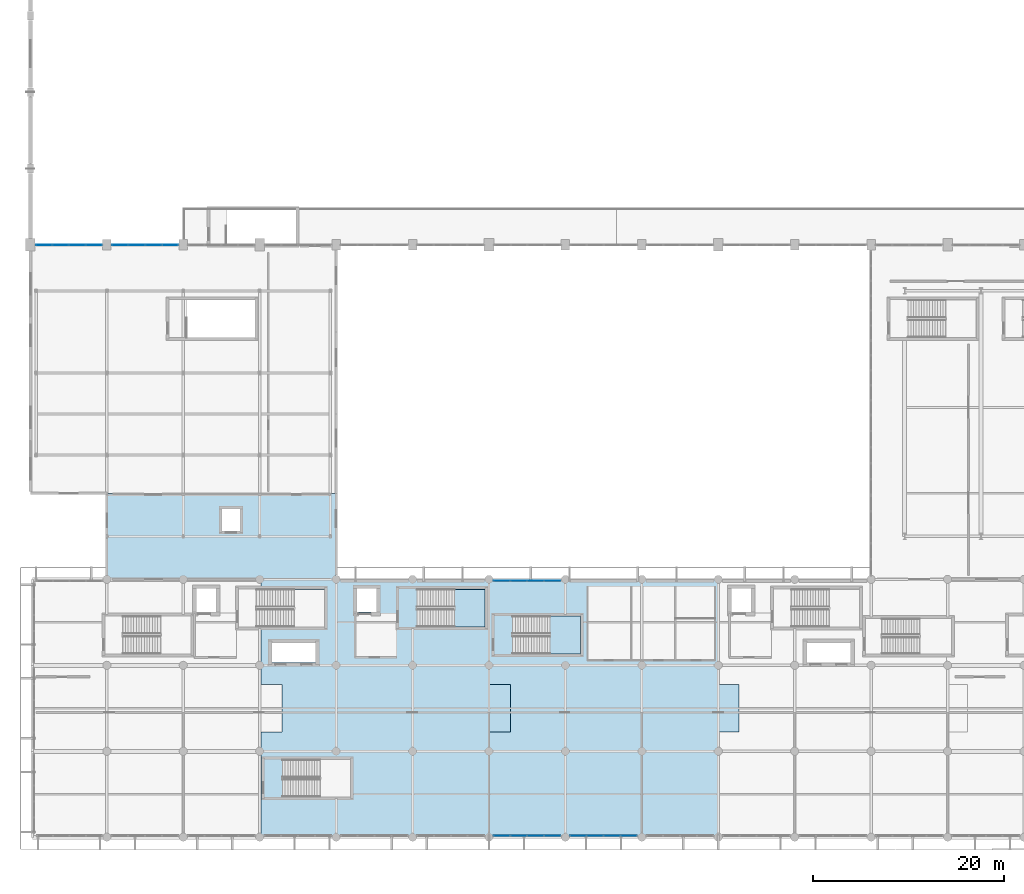
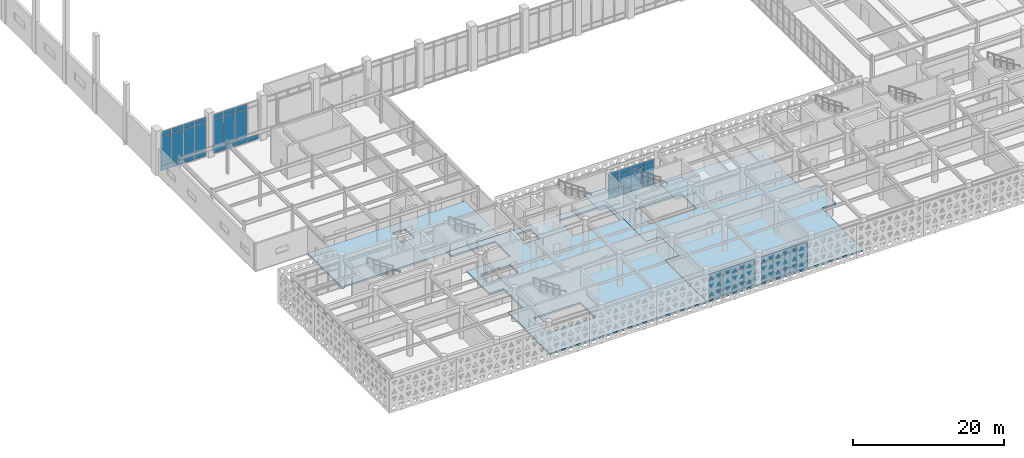
# One storey, part 47 of 84: 58 plates, 5 slabs, 7 elements without a shape of their own.
"""IFC4 building model written with IfcOpenShell, lengths in metres."""

from ifc_helpers import new_model, si_unit, direction, frame, origin, origin_2d, place, context, subcontext, project, spatial, polyline, rectangle, outline, extrude, material, layer, layer_set, type_object, element, aggregate, save


model = new_model("IFC4")

# Units and contexts
model_context = context("Model", 3, precision=1e-05, world=origin(), true_north=direction((0.0, 1.0)))
body_context = subcontext(model_context, "Body", "Model", "MODEL_VIEW")
ifc_project = project(units=[si_unit("LENGTHUNIT", "METRE"), si_unit("AREAUNIT", "SQUARE_METRE"), si_unit("VOLUMEUNIT", "CUBIC_METRE"), si_unit("PLANEANGLEUNIT", "RADIAN"), si_unit("MASSUNIT", "GRAM", prefix="KILO")], contexts=[model_context])

# Site, building, storey
site_placement = place(None, origin())
site = spatial("IfcSite", under=ifc_project, at=site_placement, CompositionType="ELEMENT")
building_placement = place(site_placement, origin())
building = spatial("IfcBuilding", under=site, at=building_placement, Name="Tlacozan Convention Centre", CompositionType="ELEMENT")
storey_placement = place(building_placement, frame((0.0, 0.0, 6.0)))
storey = spatial("IfcBuildingStorey", under=building, at=storey_placement, Name="L01", CompositionType="ELEMENT", Elevation=6.0)

# Curtain wall, plates
ifc_material_1 = material(Name="Dark Bronze Anodised Aluminium", Category="aluminium")
ifc_layer_1 = layer(ifc_material_1, 0.199951171875)
ifc_layer_set_1 = layer_set([ifc_layer_1], Name="Dark Bronze Anodised Aluminium")
curtain_wall_type_1 = type_object("IfcCurtainWallType", Name="Exhibition Clerestory Curtain Wall CW10", PredefinedType="NOTDEFINED", material=ifc_layer_set_1)
curtain_wall_1_placement = place(storey_placement, origin())
curtain_wall_1 = element("IfcCurtainWall", 1, at=curtain_wall_1_placement, inside=storey, type_object=curtain_wall_type_1, Name="L01 CW-10 Run 9", PredefinedType="NOTDEFINED")
ifc_material_2 = material(Name="Solar Control Double Low-E Argon Glazing", Category="glass")
ifc_layer_2 = layer(ifc_material_2, 0.050048828125)
ifc_layer_set_2 = layer_set([ifc_layer_2], Name="Solar Control Double Low-E Argon Glazing")
plate_type_1 = type_object("IfcPlateType", Name="Clerestory Solar CW Panel 50", PredefinedType="CURTAIN_PANEL", material=ifc_layer_set_2)
plate_1_placement = place(storey_placement, frame((1.4111328125, 62.0, 0.074951171875), z_axis=(0.0, 0.0, 1.0), x_axis=(1.0, 0.0, 0.0)))
plate_1 = element("IfcPlate", 2, at=plate_1_placement, type_object=plate_type_1, Name="CW-10 panel 1.1", PredefinedType="CURTAIN_PANEL", context=body_context, shape_type="SweptSolid", body=[
    extrude(rectangle(XDim=1.642578125, YDim=0.050048828125, at=origin_2d()), origin(), (0.0, 0.0, 1.0), 0.78759765625),
])
plate_2_placement = place(storey_placement, frame((1.4111328125, 62.0, 0.9375), z_axis=(0.0, 0.0, 1.0), x_axis=(1.0, 0.0, 0.0)))
plate_2 = element("IfcPlate", 3, at=plate_2_placement, type_object=plate_type_1, Name="CW-10 panel 1.2", PredefinedType="CURTAIN_PANEL", context=body_context, shape_type="SweptSolid", body=[
    extrude(rectangle(XDim=1.642578125, YDim=0.050048828125, at=origin_2d()), origin(), (0.0, 0.0, 1.0), 4.574951171875),
])
plate_3_placement = place(storey_placement, frame((1.4111328125, 62.0, 5.58740234375), z_axis=(0.0, 0.0, 1.0), x_axis=(1.0, 0.0, 0.0)))
plate_3 = element("IfcPlate", 4, at=plate_3_placement, type_object=plate_type_1, Name="CW-10 panel 1.3", PredefinedType="CURTAIN_PANEL", context=body_context, shape_type="SweptSolid", body=[
    extrude(rectangle(XDim=1.642578125, YDim=0.050048828125, at=origin_2d()), origin(), (0.0, 0.0, 1.0), 0.737548828125),
])
plate_4_placement = place(storey_placement, frame((3.1474609375, 62.0, 0.074951171875), z_axis=(0.0, 0.0, 1.0), x_axis=(1.0, 0.0, 0.0)))
plate_4 = element("IfcPlate", 5, at=plate_4_placement, type_object=plate_type_1, Name="CW-10 panel 2.1", PredefinedType="CURTAIN_PANEL", context=body_context, shape_type="SweptSolid", body=[
    extrude(rectangle(XDim=1.679931640625, YDim=0.050048828125, at=origin_2d()), origin(), (0.0, 0.0, 1.0), 0.78759765625),
])
plate_5_placement = place(storey_placement, frame((3.1474609375, 62.0, 0.9375), z_axis=(0.0, 0.0, 1.0), x_axis=(1.0, 0.0, 0.0)))
plate_5 = element("IfcPlate", 6, at=plate_5_placement, type_object=plate_type_1, Name="CW-10 panel 2.2", PredefinedType="CURTAIN_PANEL", context=body_context, shape_type="SweptSolid", body=[
    extrude(rectangle(XDim=1.679931640625, YDim=0.050048828125, at=origin_2d()), origin(), (0.0, 0.0, 1.0), 4.574951171875),
])
plate_6_placement = place(storey_placement, frame((3.1474609375, 62.0, 5.58740234375), z_axis=(0.0, 0.0, 1.0), x_axis=(1.0, 0.0, 0.0)))
plate_6 = element("IfcPlate", 7, at=plate_6_placement, type_object=plate_type_1, Name="CW-10 panel 2.3", PredefinedType="CURTAIN_PANEL", context=body_context, shape_type="SweptSolid", body=[
    extrude(rectangle(XDim=1.679931640625, YDim=0.050048828125, at=origin_2d()), origin(), (0.0, 0.0, 1.0), 0.737548828125),
])
plate_7_placement = place(storey_placement, frame((4.902587890625, 62.0, 0.074951171875), z_axis=(0.0, 0.0, 1.0), x_axis=(1.0, 0.0, 0.0)))
plate_7 = element("IfcPlate", 8, at=plate_7_placement, type_object=plate_type_1, Name="CW-10 panel 3.1", PredefinedType="CURTAIN_PANEL", context=body_context, shape_type="SweptSolid", body=[
    extrude(rectangle(XDim=1.679931640625, YDim=0.050048828125, at=origin_2d()), origin(), (0.0, 0.0, 1.0), 0.78759765625),
])
plate_8_placement = place(storey_placement, frame((4.902587890625, 62.0, 0.9375), z_axis=(0.0, 0.0, 1.0), x_axis=(1.0, 0.0, 0.0)))
plate_8 = element("IfcPlate", 9, at=plate_8_placement, type_object=plate_type_1, Name="CW-10 panel 3.2", PredefinedType="CURTAIN_PANEL", context=body_context, shape_type="SweptSolid", body=[
    extrude(rectangle(XDim=1.679931640625, YDim=0.050048828125, at=origin_2d()), origin(), (0.0, 0.0, 1.0), 4.574951171875),
])
plate_9_placement = place(storey_placement, frame((4.902587890625, 62.0, 5.58740234375), z_axis=(0.0, 0.0, 1.0), x_axis=(1.0, 0.0, 0.0)))
plate_9 = element("IfcPlate", 10, at=plate_9_placement, type_object=plate_type_1, Name="CW-10 panel 3.3", PredefinedType="CURTAIN_PANEL", context=body_context, shape_type="SweptSolid", body=[
    extrude(rectangle(XDim=1.679931640625, YDim=0.050048828125, at=origin_2d()), origin(), (0.0, 0.0, 1.0), 0.737548828125),
])
plate_10_placement = place(storey_placement, frame((6.638671875, 62.0, 0.074951171875), z_axis=(0.0, 0.0, 1.0), x_axis=(1.0, 0.0, 0.0)))
plate_10 = element("IfcPlate", 11, at=plate_10_placement, type_object=plate_type_1, Name="CW-10 panel 4.1", PredefinedType="CURTAIN_PANEL", context=body_context, shape_type="SweptSolid", body=[
    extrude(rectangle(XDim=1.642578125, YDim=0.050048828125, at=origin_2d()), origin(), (0.0, 0.0, 1.0), 0.78759765625),
])
plate_11_placement = place(storey_placement, frame((6.638671875, 62.0, 0.9375), z_axis=(0.0, 0.0, 1.0), x_axis=(1.0, 0.0, 0.0)))
plate_11 = element("IfcPlate", 12, at=plate_11_placement, type_object=plate_type_1, Name="CW-10 panel 4.2", PredefinedType="CURTAIN_PANEL", context=body_context, shape_type="SweptSolid", body=[
    extrude(rectangle(XDim=1.642578125, YDim=0.050048828125, at=origin_2d()), origin(), (0.0, 0.0, 1.0), 4.574951171875),
])
plate_12_placement = place(storey_placement, frame((6.638671875, 62.0, 5.58740234375), z_axis=(0.0, 0.0, 1.0), x_axis=(1.0, 0.0, 0.0)))
plate_12 = element("IfcPlate", 13, at=plate_12_placement, type_object=plate_type_1, Name="CW-10 panel 4.3", PredefinedType="CURTAIN_PANEL", context=body_context, shape_type="SweptSolid", body=[
    extrude(rectangle(XDim=1.642578125, YDim=0.050048828125, at=origin_2d()), origin(), (0.0, 0.0, 1.0), 0.737548828125),
])
aggregate(curtain_wall_1, [plate_1, plate_2, plate_3, plate_4, plate_5, plate_6, plate_7, plate_8, plate_9, plate_10, plate_11, plate_12])

curtain_wall_2_placement = place(storey_placement, origin())
curtain_wall_2 = element("IfcCurtainWall", 14, at=curtain_wall_2_placement, inside=storey, type_object=curtain_wall_type_1, Name="L01 CW-10 Run 10", PredefinedType="NOTDEFINED")
plate_13_placement = place(storey_placement, frame((9.367431640625, 62.0, 0.074951171875), z_axis=(0.0, 0.0, 1.0), x_axis=(1.0, 0.0, 0.0)))
plate_13 = element("IfcPlate", 15, at=plate_13_placement, type_object=plate_type_1, Name="CW-10 panel 1.1", PredefinedType="CURTAIN_PANEL", context=body_context, shape_type="SweptSolid", body=[
    extrude(rectangle(XDim=1.655029296875, YDim=0.050048828125, at=origin_2d()), origin(), (0.0, 0.0, 1.0), 0.78759765625),
])
plate_14_placement = place(storey_placement, frame((9.367431640625, 62.0, 0.9375), z_axis=(0.0, 0.0, 1.0), x_axis=(1.0, 0.0, 0.0)))
plate_14 = element("IfcPlate", 16, at=plate_14_placement, type_object=plate_type_1, Name="CW-10 panel 1.2", PredefinedType="CURTAIN_PANEL", context=body_context, shape_type="SweptSolid", body=[
    extrude(rectangle(XDim=1.655029296875, YDim=0.050048828125, at=origin_2d()), origin(), (0.0, 0.0, 1.0), 4.574951171875),
])
plate_15_placement = place(storey_placement, frame((9.367431640625, 62.0, 5.58740234375), z_axis=(0.0, 0.0, 1.0), x_axis=(1.0, 0.0, 0.0)))
plate_15 = element("IfcPlate", 17, at=plate_15_placement, type_object=plate_type_1, Name="CW-10 panel 1.3", PredefinedType="CURTAIN_PANEL", context=body_context, shape_type="SweptSolid", body=[
    extrude(rectangle(XDim=1.655029296875, YDim=0.050048828125, at=origin_2d()), origin(), (0.0, 0.0, 1.0), 0.737548828125),
])
plate_16_placement = place(storey_placement, frame((11.1162109375, 62.0, 0.074951171875), z_axis=(0.0, 0.0, 1.0), x_axis=(1.0, 0.0, 0.0)))
plate_16 = element("IfcPlate", 18, at=plate_16_placement, type_object=plate_type_1, Name="CW-10 panel 2.1", PredefinedType="CURTAIN_PANEL", context=body_context, shape_type="SweptSolid", body=[
    extrude(rectangle(XDim=1.6923828125, YDim=0.050048828125, at=origin_2d()), origin(), (0.0, 0.0, 1.0), 0.78759765625),
])
plate_17_placement = place(storey_placement, frame((11.1162109375, 62.0, 0.9375), z_axis=(0.0, 0.0, 1.0), x_axis=(1.0, 0.0, 0.0)))
plate_17 = element("IfcPlate", 19, at=plate_17_placement, type_object=plate_type_1, Name="CW-10 panel 2.2", PredefinedType="CURTAIN_PANEL", context=body_context, shape_type="SweptSolid", body=[
    extrude(rectangle(XDim=1.6923828125, YDim=0.050048828125, at=origin_2d()), origin(), (0.0, 0.0, 1.0), 4.574951171875),
])
plate_18_placement = place(storey_placement, frame((11.1162109375, 62.0, 5.58740234375), z_axis=(0.0, 0.0, 1.0), x_axis=(1.0, 0.0, 0.0)))
plate_18 = element("IfcPlate", 20, at=plate_18_placement, type_object=plate_type_1, Name="CW-10 panel 2.3", PredefinedType="CURTAIN_PANEL", context=body_context, shape_type="SweptSolid", body=[
    extrude(rectangle(XDim=1.6923828125, YDim=0.050048828125, at=origin_2d()), origin(), (0.0, 0.0, 1.0), 0.737548828125),
])
plate_19_placement = place(storey_placement, frame((12.8837890625, 62.0, 0.074951171875), z_axis=(0.0, 0.0, 1.0), x_axis=(1.0, 0.0, 0.0)))
plate_19 = element("IfcPlate", 21, at=plate_19_placement, type_object=plate_type_1, Name="CW-10 panel 3.1", PredefinedType="CURTAIN_PANEL", context=body_context, shape_type="SweptSolid", body=[
    extrude(rectangle(XDim=1.6923828125, YDim=0.050048828125, at=origin_2d()), origin(), (0.0, 0.0, 1.0), 0.78759765625),
])
plate_20_placement = place(storey_placement, frame((12.8837890625, 62.0, 0.9375), z_axis=(0.0, 0.0, 1.0), x_axis=(1.0, 0.0, 0.0)))
plate_20 = element("IfcPlate", 22, at=plate_20_placement, type_object=plate_type_1, Name="CW-10 panel 3.2", PredefinedType="CURTAIN_PANEL", context=body_context, shape_type="SweptSolid", body=[
    extrude(rectangle(XDim=1.6923828125, YDim=0.050048828125, at=origin_2d()), origin(), (0.0, 0.0, 1.0), 4.574951171875),
])
plate_21_placement = place(storey_placement, frame((12.8837890625, 62.0, 5.58740234375), z_axis=(0.0, 0.0, 1.0), x_axis=(1.0, 0.0, 0.0)))
plate_21 = element("IfcPlate", 23, at=plate_21_placement, type_object=plate_type_1, Name="CW-10 panel 3.3", PredefinedType="CURTAIN_PANEL", context=body_context, shape_type="SweptSolid", body=[
    extrude(rectangle(XDim=1.6923828125, YDim=0.050048828125, at=origin_2d()), origin(), (0.0, 0.0, 1.0), 0.737548828125),
])
plate_22_placement = place(storey_placement, frame((14.632568359375, 62.0, 0.074951171875), z_axis=(0.0, 0.0, 1.0), x_axis=(1.0, 0.0, 0.0)))
plate_22 = element("IfcPlate", 24, at=plate_22_placement, type_object=plate_type_1, Name="CW-10 panel 4.1", PredefinedType="CURTAIN_PANEL", context=body_context, shape_type="SweptSolid", body=[
    extrude(rectangle(XDim=1.655029296875, YDim=0.050048828125, at=origin_2d()), origin(), (0.0, 0.0, 1.0), 0.78759765625),
])
aggregate(curtain_wall_2, [plate_13, plate_14, plate_15, plate_16, plate_17, plate_18, plate_19, plate_20, plate_21, plate_22])

# Slabs
ifc_material_3 = material(Name="Concrete C40/50", Category="concrete")
ifc_layer_3 = layer(ifc_material_3, 0.280029296875)
ifc_layer_set_3 = layer_set([ifc_layer_3], Name="Concrete C40/50")
slab_type_1 = type_object("IfcSlabType", Name="Congress Composite Floor Slab 280", PredefinedType="FLOOR", material=ifc_layer_set_3)
slab_1_placement = place(storey_placement, frame((0.0, 0.0, -0.280029296875)))
element("IfcSlab", 25, at=slab_1_placement, inside=storey, type_object=slab_type_1, Name="L01 Congress Composite Floor Slab 280 54", PredefinedType="FLOOR", context=body_context, shape_type="SweptSolid", body=[
    extrude(outline(polyline([(24.1201171875, 11.0), (26.320068359375, 11.0), (26.320068359375, 16.0), (24.1201171875, 16.0), (24.1201171875, 22.0), (30.800048828125, 22.0), (30.800048828125, 25.9599609375), (24.1201171875, 25.9599609375), (24.1201171875, 27.0), (48.0400390625, 27.0), (48.0400390625, 16.0), (50.239990234375, 16.0), (50.239990234375, 11.0), (48.0400390625, 11.0), (48.0400390625, 0.0), (24.1201171875, 0.0), (24.1201171875, 11.0)]), holes=[polyline([(33.5, 4.199951171875), (33.5, 8.159912109375), (26.3798828125, 8.159912109375), (26.3798828125, 4.199951171875), (33.5, 4.199951171875)]), polyline([(29.830078125, 18.27001953125), (29.830078125, 20.330078125), (25.27001953125, 20.330078125), (25.27001953125, 18.27001953125), (29.830078125, 18.27001953125)]), polyline([(40.47998046875, 22.0), (47.60009765625, 22.0), (47.60009765625, 25.9599609375), (40.47998046875, 25.9599609375), (40.47998046875, 22.0)]), polyline([(36.219970703125, 23.580078125), (36.219970703125, 26.02001953125), (34.179931640625, 26.02001953125), (34.179931640625, 23.580078125), (36.219970703125, 23.580078125)])]), origin(), (0.0, 0.0, 1.0), 0.280029296875),
])
slab_2_placement = place(storey_placement, frame((0.0, 0.0, -0.280029296875)))
element("IfcSlab", 26, at=slab_2_placement, inside=storey, type_object=slab_type_1, Name="L01 Congress Composite Floor Slab 280 55", PredefinedType="FLOOR", context=body_context, shape_type="SweptSolid", body=[
    extrude(outline(polyline([(48.0400390625, 11.0), (50.239990234375, 11.0), (50.239990234375, 16.0), (48.0400390625, 16.0), (48.0400390625, 27.0), (71.9599609375, 27.0), (71.9599609375, 16.0), (74.159912109375, 16.0), (74.159912109375, 11.0), (71.9599609375, 11.0), (71.9599609375, 0.0), (48.0400390625, 0.0), (48.0400390625, 11.0)]), holes=[polyline([(57.60009765625, 19.199951171875), (57.60009765625, 23.159912109375), (50.47998046875, 23.159912109375), (50.47998046875, 19.199951171875), (57.60009765625, 19.199951171875)])]), origin(), (0.0, 0.0, 1.0), 0.280029296875),
])
slab_3_placement = place(storey_placement, frame((0.0, 0.0, -0.280029296875)))
element("IfcSlab", 27, at=slab_3_placement, inside=storey, type_object=slab_type_1, Name="L01 Congress Composite Floor Slab 280 66", PredefinedType="FLOOR", context=body_context, shape_type="SweptSolid", body=[
    extrude(outline(polyline([(8.0, 27.0), (8.0, 36.0), (32.0, 36.0), (32.0, 27.0), (8.0, 27.0)]), holes=[polyline([(22.0, 34.39990234375), (20.0, 34.39990234375), (20.0, 32.0), (22.0, 32.0), (22.0, 34.39990234375)])]), origin(), (0.0, 0.0, 1.0), 0.280029296875),
])

# Curtain wall, plates
ifc_layer_4 = layer(ifc_material_1, 0.159912109375)
ifc_layer_set_4 = layer_set([ifc_layer_4], Name="Dark Bronze Anodised Aluminium")
curtain_wall_type_2 = type_object("IfcCurtainWallType", Name="Unitised Congress L01 South CW02", PredefinedType="NOTDEFINED", material=ifc_layer_set_4)
curtain_wall_3_placement = place(storey_placement, origin())
curtain_wall_3 = element("IfcCurtainWall", 28, at=curtain_wall_3_placement, inside=storey, type_object=curtain_wall_type_2, Name="L01 CW-02 Run 71", PredefinedType="NOTDEFINED")
ifc_layer_5 = layer(ifc_material_2, 0.030029296875)
ifc_layer_set_5 = layer_set([ifc_layer_5], Name="Solar Control Double Low-E Argon Glazing")
plate_type_2 = type_object("IfcPlateType", Name="Double Low-E Acoustic CW Panel 30", PredefinedType="CURTAIN_PANEL", material=ifc_layer_set_5)
plate_23_placement = place(storey_placement, frame((49.353759765625, 26.840087890625, 0.06494140625), z_axis=(0.0, 0.0, 1.0), x_axis=(1.0, 0.0, 0.0)))
plate_23 = element("IfcPlate", 29, at=plate_23_placement, type_object=plate_type_2, Name="CW-02 panel 1.1", PredefinedType="CURTAIN_PANEL", context=body_context, shape_type="SweptSolid", body=[
    extrude(rectangle(XDim=1.677490234375, YDim=0.030029296875, at=origin_2d()), origin(), (0.0, 0.0, 1.0), 0.802490234375),
])
plate_24_placement = place(storey_placement, frame((49.353759765625, 26.840087890625, 0.9326171875), z_axis=(0.0, 0.0, 1.0), x_axis=(1.0, 0.0, 0.0)))
plate_24 = element("IfcPlate", 30, at=plate_24_placement, type_object=plate_type_2, Name="CW-02 panel 1.2", PredefinedType="CURTAIN_PANEL", context=body_context, shape_type="SweptSolid", body=[
    extrude(rectangle(XDim=1.677490234375, YDim=0.030029296875, at=origin_2d()), origin(), (0.0, 0.0, 1.0), 2.364990234375),
])
plate_25_placement = place(storey_placement, frame((49.353759765625, 26.840087890625, 3.362548828125), z_axis=(0.0, 0.0, 1.0), x_axis=(1.0, 0.0, 0.0)))
plate_25 = element("IfcPlate", 31, at=plate_25_placement, type_object=plate_type_2, Name="CW-02 panel 1.3", PredefinedType="CURTAIN_PANEL", context=body_context, shape_type="SweptSolid", body=[
    extrude(rectangle(XDim=1.677490234375, YDim=0.030029296875, at=origin_2d()), origin(), (0.0, 0.0, 1.0), 0.75244140625),
])
plate_26_placement = place(storey_placement, frame((51.112548828125, 26.840087890625, 0.06494140625), z_axis=(0.0, 0.0, 1.0), x_axis=(1.0, 0.0, 0.0)))
plate_26 = element("IfcPlate", 32, at=plate_26_placement, type_object=plate_type_2, Name="CW-02 panel 2.1", PredefinedType="CURTAIN_PANEL", context=body_context, shape_type="SweptSolid", body=[
    extrude(rectangle(XDim=1.7099609375, YDim=0.030029296875, at=origin_2d()), origin(), (0.0, 0.0, 1.0), 0.802490234375),
])
plate_27_placement = place(storey_placement, frame((51.112548828125, 26.840087890625, 0.9326171875), z_axis=(0.0, 0.0, 1.0), x_axis=(1.0, 0.0, 0.0)))
plate_27 = element("IfcPlate", 33, at=plate_27_placement, type_object=plate_type_2, Name="CW-02 panel 2.2", PredefinedType="CURTAIN_PANEL", context=body_context, shape_type="SweptSolid", body=[
    extrude(rectangle(XDim=1.7099609375, YDim=0.030029296875, at=origin_2d()), origin(), (0.0, 0.0, 1.0), 2.364990234375),
])
plate_28_placement = place(storey_placement, frame((51.112548828125, 26.840087890625, 3.362548828125), z_axis=(0.0, 0.0, 1.0), x_axis=(1.0, 0.0, 0.0)))
plate_28 = element("IfcPlate", 34, at=plate_28_placement, type_object=plate_type_2, Name="CW-02 panel 2.3", PredefinedType="CURTAIN_PANEL", context=body_context, shape_type="SweptSolid", body=[
    extrude(rectangle(XDim=1.7099609375, YDim=0.030029296875, at=origin_2d()), origin(), (0.0, 0.0, 1.0), 0.75244140625),
])
plate_29_placement = place(storey_placement, frame((52.887451171875, 26.840087890625, 0.06494140625), z_axis=(0.0, 0.0, 1.0), x_axis=(1.0, 0.0, 0.0)))
plate_29 = element("IfcPlate", 35, at=plate_29_placement, type_object=plate_type_2, Name="CW-02 panel 3.1", PredefinedType="CURTAIN_PANEL", context=body_context, shape_type="SweptSolid", body=[
    extrude(rectangle(XDim=1.7099609375, YDim=0.030029296875, at=origin_2d()), origin(), (0.0, 0.0, 1.0), 0.802490234375),
])
plate_30_placement = place(storey_placement, frame((52.887451171875, 26.840087890625, 0.9326171875), z_axis=(0.0, 0.0, 1.0), x_axis=(1.0, 0.0, 0.0)))
plate_30 = element("IfcPlate", 36, at=plate_30_placement, type_object=plate_type_2, Name="CW-02 panel 3.2", PredefinedType="CURTAIN_PANEL", context=body_context, shape_type="SweptSolid", body=[
    extrude(rectangle(XDim=1.7099609375, YDim=0.030029296875, at=origin_2d()), origin(), (0.0, 0.0, 1.0), 2.364990234375),
])
plate_31_placement = place(storey_placement, frame((52.887451171875, 26.840087890625, 3.362548828125), z_axis=(0.0, 0.0, 1.0), x_axis=(1.0, 0.0, 0.0)))
plate_31 = element("IfcPlate", 37, at=plate_31_placement, type_object=plate_type_2, Name="CW-02 panel 3.3", PredefinedType="CURTAIN_PANEL", context=body_context, shape_type="SweptSolid", body=[
    extrude(rectangle(XDim=1.7099609375, YDim=0.030029296875, at=origin_2d()), origin(), (0.0, 0.0, 1.0), 0.75244140625),
])
plate_32_placement = place(storey_placement, frame((54.646240234375, 26.840087890625, 0.06494140625), z_axis=(0.0, 0.0, 1.0), x_axis=(1.0, 0.0, 0.0)))
plate_32 = element("IfcPlate", 38, at=plate_32_placement, type_object=plate_type_2, Name="CW-02 panel 4.1", PredefinedType="CURTAIN_PANEL", context=body_context, shape_type="SweptSolid", body=[
    extrude(rectangle(XDim=1.677490234375, YDim=0.030029296875, at=origin_2d()), origin(), (0.0, 0.0, 1.0), 0.802490234375),
])
plate_33_placement = place(storey_placement, frame((54.646240234375, 26.840087890625, 0.9326171875), z_axis=(0.0, 0.0, 1.0), x_axis=(1.0, 0.0, 0.0)))
plate_33 = element("IfcPlate", 39, at=plate_33_placement, type_object=plate_type_2, Name="CW-02 panel 4.2", PredefinedType="CURTAIN_PANEL", context=body_context, shape_type="SweptSolid", body=[
    extrude(rectangle(XDim=1.677490234375, YDim=0.030029296875, at=origin_2d()), origin(), (0.0, 0.0, 1.0), 2.364990234375),
])
plate_34_placement = place(storey_placement, frame((54.646240234375, 26.840087890625, 3.362548828125), z_axis=(0.0, 0.0, 1.0), x_axis=(1.0, 0.0, 0.0)))
plate_34 = element("IfcPlate", 40, at=plate_34_placement, type_object=plate_type_2, Name="CW-02 panel 4.3", PredefinedType="CURTAIN_PANEL", context=body_context, shape_type="SweptSolid", body=[
    extrude(rectangle(XDim=1.677490234375, YDim=0.030029296875, at=origin_2d()), origin(), (0.0, 0.0, 1.0), 0.75244140625),
])
aggregate(curtain_wall_3, [plate_23, plate_24, plate_25, plate_26, plate_27, plate_28, plate_29, plate_30, plate_31, plate_32, plate_33, plate_34])

curtain_wall_4_placement = place(storey_placement, origin())
curtain_wall_4 = element("IfcCurtainWall", 41, at=curtain_wall_4_placement, inside=storey, type_object=curtain_wall_type_2, Name="L01 CW-02 Run 61", PredefinedType="NOTDEFINED")
ifc_layer_6 = layer(ifc_material_2, 0.02001953125)
ifc_layer_set_6 = layer_set([ifc_layer_6], Name="Solar Control Double Low-E Argon Glazing")
plate_type_3 = type_object("IfcPlateType", Name="Double Low-E Glazed CW Panel 20", PredefinedType="CURTAIN_PANEL", material=ifc_layer_set_6)
plate_35_placement = place(storey_placement, frame((49.353759765625, 0.159912109375, 0.06494140625), z_axis=(0.0, 0.0, 1.0), x_axis=(1.0, 0.0, 0.0)))
plate_35 = element("IfcPlate", 42, at=plate_35_placement, type_object=plate_type_3, Name="CW-02 panel 1.1", PredefinedType="CURTAIN_PANEL", context=body_context, shape_type="SweptSolid", body=[
    extrude(rectangle(XDim=1.677490234375, YDim=0.02001953125, at=origin_2d()), origin(), (0.0, 0.0, 1.0), 0.802490234375),
])
plate_36_placement = place(storey_placement, frame((49.353759765625, 0.159912109375, 0.9326171875), z_axis=(0.0, 0.0, 1.0), x_axis=(1.0, 0.0, 0.0)))
plate_36 = element("IfcPlate", 43, at=plate_36_placement, type_object=plate_type_3, Name="CW-02 panel 1.2", PredefinedType="CURTAIN_PANEL", context=body_context, shape_type="SweptSolid", body=[
    extrude(rectangle(XDim=1.677490234375, YDim=0.02001953125, at=origin_2d()), origin(), (0.0, 0.0, 1.0), 2.364990234375),
])
plate_37_placement = place(storey_placement, frame((49.353759765625, 0.159912109375, 3.362548828125), z_axis=(0.0, 0.0, 1.0), x_axis=(1.0, 0.0, 0.0)))
plate_37 = element("IfcPlate", 44, at=plate_37_placement, type_object=plate_type_3, Name="CW-02 panel 1.3", PredefinedType="CURTAIN_PANEL", context=body_context, shape_type="SweptSolid", body=[
    extrude(rectangle(XDim=1.677490234375, YDim=0.02001953125, at=origin_2d()), origin(), (0.0, 0.0, 1.0), 0.75244140625),
])
plate_38_placement = place(storey_placement, frame((51.112548828125, 0.159912109375, 0.06494140625), z_axis=(0.0, 0.0, 1.0), x_axis=(1.0, 0.0, 0.0)))
plate_38 = element("IfcPlate", 45, at=plate_38_placement, type_object=plate_type_3, Name="CW-02 panel 2.1", PredefinedType="CURTAIN_PANEL", context=body_context, shape_type="SweptSolid", body=[
    extrude(rectangle(XDim=1.7099609375, YDim=0.02001953125, at=origin_2d()), origin(), (0.0, 0.0, 1.0), 0.802490234375),
])
plate_39_placement = place(storey_placement, frame((51.112548828125, 0.159912109375, 0.9326171875), z_axis=(0.0, 0.0, 1.0), x_axis=(1.0, 0.0, 0.0)))
plate_39 = element("IfcPlate", 46, at=plate_39_placement, type_object=plate_type_3, Name="CW-02 panel 2.2", PredefinedType="CURTAIN_PANEL", context=body_context, shape_type="SweptSolid", body=[
    extrude(rectangle(XDim=1.7099609375, YDim=0.02001953125, at=origin_2d()), origin(), (0.0, 0.0, 1.0), 2.364990234375),
])
plate_40_placement = place(storey_placement, frame((51.112548828125, 0.159912109375, 3.362548828125), z_axis=(0.0, 0.0, 1.0), x_axis=(1.0, 0.0, 0.0)))
plate_40 = element("IfcPlate", 47, at=plate_40_placement, type_object=plate_type_3, Name="CW-02 panel 2.3", PredefinedType="CURTAIN_PANEL", context=body_context, shape_type="SweptSolid", body=[
    extrude(rectangle(XDim=1.7099609375, YDim=0.02001953125, at=origin_2d()), origin(), (0.0, 0.0, 1.0), 0.75244140625),
])
plate_41_placement = place(storey_placement, frame((52.887451171875, 0.159912109375, 0.06494140625), z_axis=(0.0, 0.0, 1.0), x_axis=(1.0, 0.0, 0.0)))
plate_41 = element("IfcPlate", 48, at=plate_41_placement, type_object=plate_type_3, Name="CW-02 panel 3.1", PredefinedType="CURTAIN_PANEL", context=body_context, shape_type="SweptSolid", body=[
    extrude(rectangle(XDim=1.7099609375, YDim=0.02001953125, at=origin_2d()), origin(), (0.0, 0.0, 1.0), 0.802490234375),
])
plate_42_placement = place(storey_placement, frame((52.887451171875, 0.159912109375, 0.9326171875), z_axis=(0.0, 0.0, 1.0), x_axis=(1.0, 0.0, 0.0)))
plate_42 = element("IfcPlate", 49, at=plate_42_placement, type_object=plate_type_3, Name="CW-02 panel 3.2", PredefinedType="CURTAIN_PANEL", context=body_context, shape_type="SweptSolid", body=[
    extrude(rectangle(XDim=1.7099609375, YDim=0.02001953125, at=origin_2d()), origin(), (0.0, 0.0, 1.0), 2.364990234375),
])
plate_43_placement = place(storey_placement, frame((52.887451171875, 0.159912109375, 3.362548828125), z_axis=(0.0, 0.0, 1.0), x_axis=(1.0, 0.0, 0.0)))
plate_43 = element("IfcPlate", 50, at=plate_43_placement, type_object=plate_type_3, Name="CW-02 panel 3.3", PredefinedType="CURTAIN_PANEL", context=body_context, shape_type="SweptSolid", body=[
    extrude(rectangle(XDim=1.7099609375, YDim=0.02001953125, at=origin_2d()), origin(), (0.0, 0.0, 1.0), 0.75244140625),
])
plate_44_placement = place(storey_placement, frame((54.646240234375, 0.159912109375, 0.06494140625), z_axis=(0.0, 0.0, 1.0), x_axis=(1.0, 0.0, 0.0)))
plate_44 = element("IfcPlate", 51, at=plate_44_placement, type_object=plate_type_3, Name="CW-02 panel 4.1", PredefinedType="CURTAIN_PANEL", context=body_context, shape_type="SweptSolid", body=[
    extrude(rectangle(XDim=1.677490234375, YDim=0.02001953125, at=origin_2d()), origin(), (0.0, 0.0, 1.0), 0.802490234375),
])
plate_45_placement = place(storey_placement, frame((54.646240234375, 0.159912109375, 0.9326171875), z_axis=(0.0, 0.0, 1.0), x_axis=(1.0, 0.0, 0.0)))
plate_45 = element("IfcPlate", 52, at=plate_45_placement, type_object=plate_type_3, Name="CW-02 panel 4.2", PredefinedType="CURTAIN_PANEL", context=body_context, shape_type="SweptSolid", body=[
    extrude(rectangle(XDim=1.677490234375, YDim=0.02001953125, at=origin_2d()), origin(), (0.0, 0.0, 1.0), 2.364990234375),
])
plate_46_placement = place(storey_placement, frame((54.646240234375, 0.159912109375, 3.362548828125), z_axis=(0.0, 0.0, 1.0), x_axis=(1.0, 0.0, 0.0)))
plate_46 = element("IfcPlate", 53, at=plate_46_placement, type_object=plate_type_3, Name="CW-02 panel 4.3", PredefinedType="CURTAIN_PANEL", context=body_context, shape_type="SweptSolid", body=[
    extrude(rectangle(XDim=1.677490234375, YDim=0.02001953125, at=origin_2d()), origin(), (0.0, 0.0, 1.0), 0.75244140625),
])
aggregate(curtain_wall_4, [plate_35, plate_36, plate_37, plate_38, plate_39, plate_40, plate_41, plate_42, plate_43, plate_44, plate_45, plate_46])

curtain_wall_5_placement = place(storey_placement, origin())
curtain_wall_5 = element("IfcCurtainWall", 54, at=curtain_wall_5_placement, inside=storey, type_object=curtain_wall_type_2, Name="L01 CW-02 Run 62", PredefinedType="NOTDEFINED")
ifc_layer_7 = layer(ifc_material_2, 0.0400390625)
ifc_layer_set_7 = layer_set([ifc_layer_7], Name="Solar Control Double Low-E Argon Glazing")
plate_type_4 = type_object("IfcPlateType", Name="Insulated Spandrel CW Panel 40", PredefinedType="CURTAIN_PANEL", material=ifc_layer_set_7)
plate_47_placement = place(storey_placement, frame((57.353759765625, 0.159912109375, 0.06494140625), z_axis=(0.0, 0.0, 1.0), x_axis=(1.0, 0.0, 0.0)))
plate_47 = element("IfcPlate", 55, at=plate_47_placement, type_object=plate_type_4, Name="CW-02 panel 1.1", PredefinedType="CURTAIN_PANEL", context=body_context, shape_type="SweptSolid", body=[
    extrude(rectangle(XDim=1.677490234375, YDim=0.0400390625, at=origin_2d()), origin(), (0.0, 0.0, 1.0), 0.802490234375),
])
plate_48_placement = place(storey_placement, frame((57.353759765625, 0.159912109375, 0.9326171875), z_axis=(0.0, 0.0, 1.0), x_axis=(1.0, 0.0, 0.0)))
plate_48 = element("IfcPlate", 56, at=plate_48_placement, type_object=plate_type_4, Name="CW-02 panel 1.2", PredefinedType="CURTAIN_PANEL", context=body_context, shape_type="SweptSolid", body=[
    extrude(rectangle(XDim=1.677490234375, YDim=0.0400390625, at=origin_2d()), origin(), (0.0, 0.0, 1.0), 2.364990234375),
])
plate_49_placement = place(storey_placement, frame((57.353759765625, 0.159912109375, 3.362548828125), z_axis=(0.0, 0.0, 1.0), x_axis=(1.0, 0.0, 0.0)))
plate_49 = element("IfcPlate", 57, at=plate_49_placement, type_object=plate_type_4, Name="CW-02 panel 1.3", PredefinedType="CURTAIN_PANEL", context=body_context, shape_type="SweptSolid", body=[
    extrude(rectangle(XDim=1.677490234375, YDim=0.0400390625, at=origin_2d()), origin(), (0.0, 0.0, 1.0), 0.75244140625),
])
plate_50_placement = place(storey_placement, frame((59.112548828125, 0.159912109375, 0.06494140625), z_axis=(0.0, 0.0, 1.0), x_axis=(1.0, 0.0, 0.0)))
plate_50 = element("IfcPlate", 58, at=plate_50_placement, type_object=plate_type_4, Name="CW-02 panel 2.1", PredefinedType="CURTAIN_PANEL", context=body_context, shape_type="SweptSolid", body=[
    extrude(rectangle(XDim=1.7099609375, YDim=0.0400390625, at=origin_2d()), origin(), (0.0, 0.0, 1.0), 0.802490234375),
])
plate_51_placement = place(storey_placement, frame((59.112548828125, 0.159912109375, 0.9326171875), z_axis=(0.0, 0.0, 1.0), x_axis=(1.0, 0.0, 0.0)))
plate_51 = element("IfcPlate", 59, at=plate_51_placement, type_object=plate_type_4, Name="CW-02 panel 2.2", PredefinedType="CURTAIN_PANEL", context=body_context, shape_type="SweptSolid", body=[
    extrude(rectangle(XDim=1.7099609375, YDim=0.0400390625, at=origin_2d()), origin(), (0.0, 0.0, 1.0), 2.364990234375),
])
plate_52_placement = place(storey_placement, frame((59.112548828125, 0.159912109375, 3.362548828125), z_axis=(0.0, 0.0, 1.0), x_axis=(1.0, 0.0, 0.0)))
plate_52 = element("IfcPlate", 60, at=plate_52_placement, type_object=plate_type_4, Name="CW-02 panel 2.3", PredefinedType="CURTAIN_PANEL", context=body_context, shape_type="SweptSolid", body=[
    extrude(rectangle(XDim=1.7099609375, YDim=0.0400390625, at=origin_2d()), origin(), (0.0, 0.0, 1.0), 0.75244140625),
])
plate_53_placement = place(storey_placement, frame((60.887451171875, 0.159912109375, 0.06494140625), z_axis=(0.0, 0.0, 1.0), x_axis=(1.0, 0.0, 0.0)))
plate_53 = element("IfcPlate", 61, at=plate_53_placement, type_object=plate_type_4, Name="CW-02 panel 3.1", PredefinedType="CURTAIN_PANEL", context=body_context, shape_type="SweptSolid", body=[
    extrude(rectangle(XDim=1.7099609375, YDim=0.0400390625, at=origin_2d()), origin(), (0.0, 0.0, 1.0), 0.802490234375),
])
plate_54_placement = place(storey_placement, frame((60.887451171875, 0.159912109375, 0.9326171875), z_axis=(0.0, 0.0, 1.0), x_axis=(1.0, 0.0, 0.0)))
plate_54 = element("IfcPlate", 62, at=plate_54_placement, type_object=plate_type_4, Name="CW-02 panel 3.2", PredefinedType="CURTAIN_PANEL", context=body_context, shape_type="SweptSolid", body=[
    extrude(rectangle(XDim=1.7099609375, YDim=0.0400390625, at=origin_2d()), origin(), (0.0, 0.0, 1.0), 2.364990234375),
])
plate_55_placement = place(storey_placement, frame((60.887451171875, 0.159912109375, 3.362548828125), z_axis=(0.0, 0.0, 1.0), x_axis=(1.0, 0.0, 0.0)))
plate_55 = element("IfcPlate", 63, at=plate_55_placement, type_object=plate_type_4, Name="CW-02 panel 3.3", PredefinedType="CURTAIN_PANEL", context=body_context, shape_type="SweptSolid", body=[
    extrude(rectangle(XDim=1.7099609375, YDim=0.0400390625, at=origin_2d()), origin(), (0.0, 0.0, 1.0), 0.75244140625),
])
plate_56_placement = place(storey_placement, frame((62.646240234375, 0.159912109375, 0.06494140625), z_axis=(0.0, 0.0, 1.0), x_axis=(1.0, 0.0, 0.0)))
plate_56 = element("IfcPlate", 64, at=plate_56_placement, type_object=plate_type_4, Name="CW-02 panel 4.1", PredefinedType="CURTAIN_PANEL", context=body_context, shape_type="SweptSolid", body=[
    extrude(rectangle(XDim=1.677490234375, YDim=0.0400390625, at=origin_2d()), origin(), (0.0, 0.0, 1.0), 0.802490234375),
])
plate_57_placement = place(storey_placement, frame((62.646240234375, 0.159912109375, 0.9326171875), z_axis=(0.0, 0.0, 1.0), x_axis=(1.0, 0.0, 0.0)))
plate_57 = element("IfcPlate", 65, at=plate_57_placement, type_object=plate_type_4, Name="CW-02 panel 4.2", PredefinedType="CURTAIN_PANEL", context=body_context, shape_type="SweptSolid", body=[
    extrude(rectangle(XDim=1.677490234375, YDim=0.0400390625, at=origin_2d()), origin(), (0.0, 0.0, 1.0), 2.364990234375),
])
plate_58_placement = place(storey_placement, frame((62.646240234375, 0.159912109375, 3.362548828125), z_axis=(0.0, 0.0, 1.0), x_axis=(1.0, 0.0, 0.0)))
plate_58 = element("IfcPlate", 66, at=plate_58_placement, type_object=plate_type_4, Name="CW-02 panel 4.3", PredefinedType="CURTAIN_PANEL", context=body_context, shape_type="SweptSolid", body=[
    extrude(rectangle(XDim=1.677490234375, YDim=0.0400390625, at=origin_2d()), origin(), (0.0, 0.0, 1.0), 0.75244140625),
])
aggregate(curtain_wall_5, [plate_47, plate_48, plate_49, plate_50, plate_51, plate_52, plate_53, plate_54, plate_55, plate_56, plate_57, plate_58])

# Stair, slab
stair_type = type_object("IfcStairType", Name="Protected Dogleg Stair W188 H54", PredefinedType="HALF_TURN_STAIR", material=ifc_material_3)
stair_1_placement = place(storey_placement, origin())
stair_1 = element("IfcStair", 67, at=stair_1_placement, inside=storey, type_object=stair_type, Name="L01 Central Congress Core Stair ST-04", PredefinedType="HALF_TURN_STAIR")
ifc_layer_8 = layer(ifc_material_3, 0.199951171875)
ifc_layer_set_8 = layer_set([ifc_layer_8], Name="Concrete C40/50")
slab_type_2 = type_object("IfcSlabType", Name="Stair Half Landing Slab 200", PredefinedType="LANDING", material=ifc_layer_set_8)
slab_4_placement = place(storey_placement, frame((0.0, 0.0, 2.5)))
slab_4 = element("IfcSlab", 68, at=slab_4_placement, type_object=slab_type_2, Name="ST-04 landing 1", PredefinedType="LANDING", context=body_context, shape_type="SweptSolid", body=[
    extrude(outline(polyline([(44.39990234375, 22.0), (47.60009765625, 22.0), (47.60009765625, 25.9599609375), (44.39990234375, 25.9599609375), (44.39990234375, 22.0)])), origin(), (0.0, 0.0, 1.0), 0.199951171875),
])
aggregate(stair_1, [slab_4])

stair_2_placement = place(storey_placement, origin())
stair_2 = element("IfcStair", 69, at=stair_2_placement, inside=storey, type_object=stair_type, Name="L01 Central Promenade Congress Stair", PredefinedType="HALF_TURN_STAIR")
slab_5_placement = place(storey_placement, frame((0.0, 0.0, 2.5)))
slab_5 = element("IfcSlab", 70, at=slab_5_placement, type_object=slab_type_2, Name="ST-14 landing 1", PredefinedType="LANDING", context=body_context, shape_type="SweptSolid", body=[
    extrude(outline(polyline([(54.39990234375, 19.199951171875), (57.60009765625, 19.199951171875), (57.60009765625, 23.159912109375), (54.39990234375, 23.159912109375), (54.39990234375, 19.199951171875)])), origin(), (0.0, 0.0, 1.0), 0.199951171875),
])
aggregate(stair_2, [slab_5])

save(model, "model.ifc")
